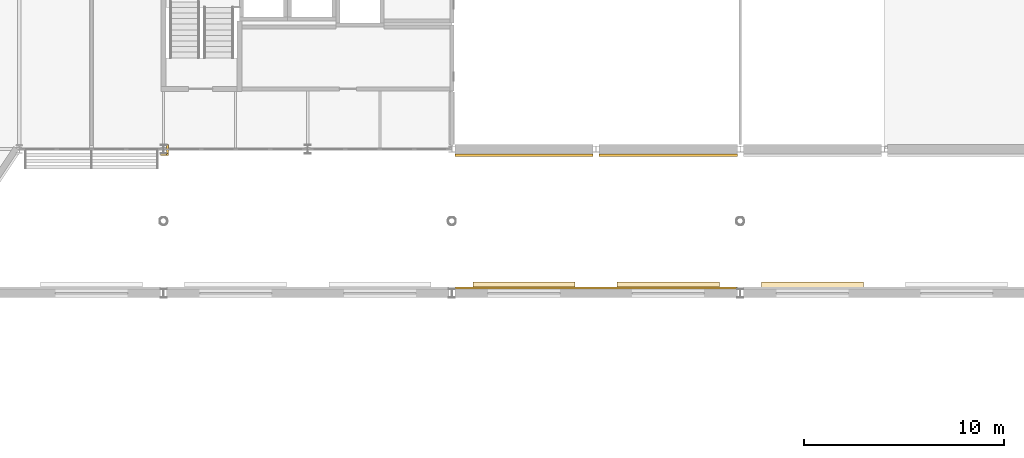
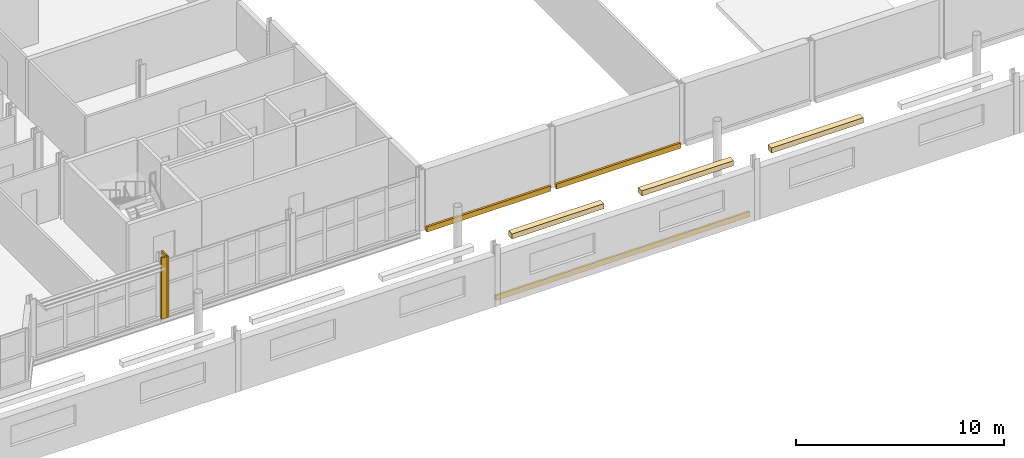
# One storey, part 117 of 124: 9 coverings.
"""IFC4 building model written with IfcOpenShell, lengths in metres."""

from ifc_helpers import new_model, si_unit, direction, frame, origin, origin_2d, place, context, subcontext, project, spatial, rectangle, extrude, material, layer, layer_set, type_object, element, save


model = new_model("IFC4")

# Units and contexts
model_context = context("Model", 3, precision=1e-05, world=origin(), true_north=direction((0.0, 1.0)))
body_context = subcontext(model_context, "Body", "Model", "MODEL_VIEW")
ifc_project = project(units=[si_unit("LENGTHUNIT", "METRE"), si_unit("AREAUNIT", "SQUARE_METRE"), si_unit("VOLUMEUNIT", "CUBIC_METRE"), si_unit("PLANEANGLEUNIT", "RADIAN"), si_unit("MASSUNIT", "GRAM", prefix="KILO")], contexts=[model_context])

# Site, building, storey
site_placement = place(None, origin())
site = spatial("IfcSite", under=ifc_project, at=site_placement, CompositionType="ELEMENT")
building_placement = place(site_placement, origin())
building = spatial("IfcBuilding", under=site, at=building_placement, Name="Kupolbacken Congress Centre", CompositionType="ELEMENT")
storey_placement = place(building_placement, frame((0.0, 0.0, 10.800048828125)))
storey = spatial("IfcBuildingStorey", under=building, at=storey_placement, Name="L03", CompositionType="ELEMENT", Elevation=10.800048828125)

# Coverings
ifc_material_1 = material(Name="Limestone cladding", Category="masonry")
ifc_layer_1 = layer(ifc_material_1, 0.1201171875)
ifc_layer_set_1 = layer_set([ifc_layer_1], Name="Limestone cladding")
covering_type_1 = type_object("IfcCoveringType", Name="CV1 limestone cladding band 120", PredefinedType="CLADDING", material=ifc_layer_set_1)
for number, where, z_axis, x_axis, name in (
    (1, (154.800048828125, 122.10009765625, 0.0), (0.0, 0.0, 1.0), (1.0, 0.0, 0.0), "E/B/S/L03/308/band"),
    (2, (162.0, 122.10009765625, 0.0), (0.0, 0.0, 1.0), (1.0, 0.0, 0.0), "E/B/S/L03/309/band"),
):
    element("IfcCovering", number, at=place(storey_placement, frame(where, z_axis=z_axis, x_axis=x_axis)), inside=storey, type_object=covering_type_1, Name=name, PredefinedType="CLADDING", context=body_context, shape_type="SweptSolid", body=[
        extrude(rectangle(XDim=6.89990234375, YDim=0.1201171875, at=origin_2d()), origin(), (0.0, 0.0, 1.0), 0.300048828125),
    ])
covering_1_placement = place(storey_placement, frame((137.0, 122.125, 0.0), z_axis=(0.0, 0.0, 1.0), x_axis=(1.0, 0.0, 0.0)))
element("IfcCovering", 3, at=covering_1_placement, inside=storey, type_object=covering_type_1, Name="E/T/pilaster/L03/C-T-20T/corner", PredefinedType="CLADDING", context=body_context, shape_type="SweptSolid", body=[
    extrude(rectangle(XDim=0.10009765625, YDim=0.10009765625, at=origin_2d()), origin(), (0.0, 0.0, 1.0), 3.60009765625),
])
covering_2_placement = place(storey_placement, frame((137.0, 122.39990234375, 0.0), z_axis=(0.0, 0.0, 1.0), x_axis=(1.0, 0.0, 0.0)))
element("IfcCovering", 4, at=covering_2_placement, inside=storey, type_object=covering_type_1, Name="E/T/pilaster/L03/C-T-20T/E", PredefinedType="CLADDING", context=body_context, shape_type="SweptSolid", body=[
    extrude(rectangle(XDim=0.10009765625, YDim=0.449951171875, at=origin_2d()), origin(), (0.0, 0.0, 1.0), 3.60009765625),
])
covering_3_placement = place(storey_placement, frame((136.800048828125, 122.125, 0.0), z_axis=(0.0, 0.0, 1.0), x_axis=(1.0, 0.0, 0.0)))
element("IfcCovering", 5, at=covering_3_placement, inside=storey, type_object=covering_type_1, Name="E/T/pilaster/L03/C-T-20T/S", PredefinedType="CLADDING", context=body_context, shape_type="SweptSolid", body=[
    extrude(rectangle(XDim=0.300048828125, YDim=0.10009765625, at=origin_2d()), origin(), (0.0, 0.0, 1.0), 3.60009765625),
])
ifc_material_2 = material(Name="Brick cladding", Category="masonry")
ifc_layer_2 = layer(ifc_material_2, 0.10791015625)
ifc_layer_set_2 = layer_set([ifc_layer_2], Name="Brick cladding")
covering_type_2 = type_object("IfcCoveringType", Name="CV2 brick cladding band 108", PredefinedType="CLADDING", material=ifc_layer_set_2)
covering_4_placement = place(storey_placement, frame((158.39990234375, 115.464111328125, 0.0), z_axis=(0.0, 0.0, 1.0), x_axis=(-1.0, 0.0, 0.0)))
element("IfcCovering", 6, at=covering_4_placement, inside=storey, type_object=covering_type_2, Name="E/H/N/L03/356/band", PredefinedType="CLADDING", context=body_context, shape_type="SweptSolid", body=[
    extrude(rectangle(XDim=14.10009765625, YDim=0.10791015625, at=origin_2d()), origin(), (0.0, 0.0, 1.0), 0.300048828125),
])
ifc_material_3 = material(Name="Limestone cladding", Category="masonry")
ifc_layer_3 = layer(ifc_material_3, 0.35009765625)
ifc_layer_set_3 = layer_set([ifc_layer_3], Name="Limestone cladding")
covering_type_3 = type_object("IfcCoveringType", Name="CV3 limestone pilaster strip 350", PredefinedType="CLADDING", material=ifc_layer_set_3)
for number, where, z_axis, x_axis, name in (
    (7, (154.800048828125, 115.5849609375, 3.2998046875), (0.0, 0.0, 1.0), (1.0, 0.0, 0.0), "F/HR/H/N/string/14.4/09/1"),
    (8, (162.0, 115.5849609375, 3.2998046875), (0.0, 0.0, 1.0), (1.0, 0.0, 0.0), "F/HR/H/N/string/14.4/10/1"),
    (9, (169.199951171875, 115.5849609375, 3.2998046875), (0.0, 0.0, 1.0), (1.0, 0.0, 0.0), "F/HR/H/N/string/14.4/11/1"),
):
    element("IfcCovering", number, at=place(storey_placement, frame(where, z_axis=z_axis, x_axis=x_axis)), inside=storey, type_object=covering_type_3, Name=name, PredefinedType="CLADDING", context=body_context, shape_type="SweptSolid", body=[
        extrude(rectangle(XDim=5.10009765625, YDim=0.35009765625, at=origin_2d()), origin(), (0.0, 0.0, 1.0), 0.300048828125),
    ])

save(model, "model.ifc")
